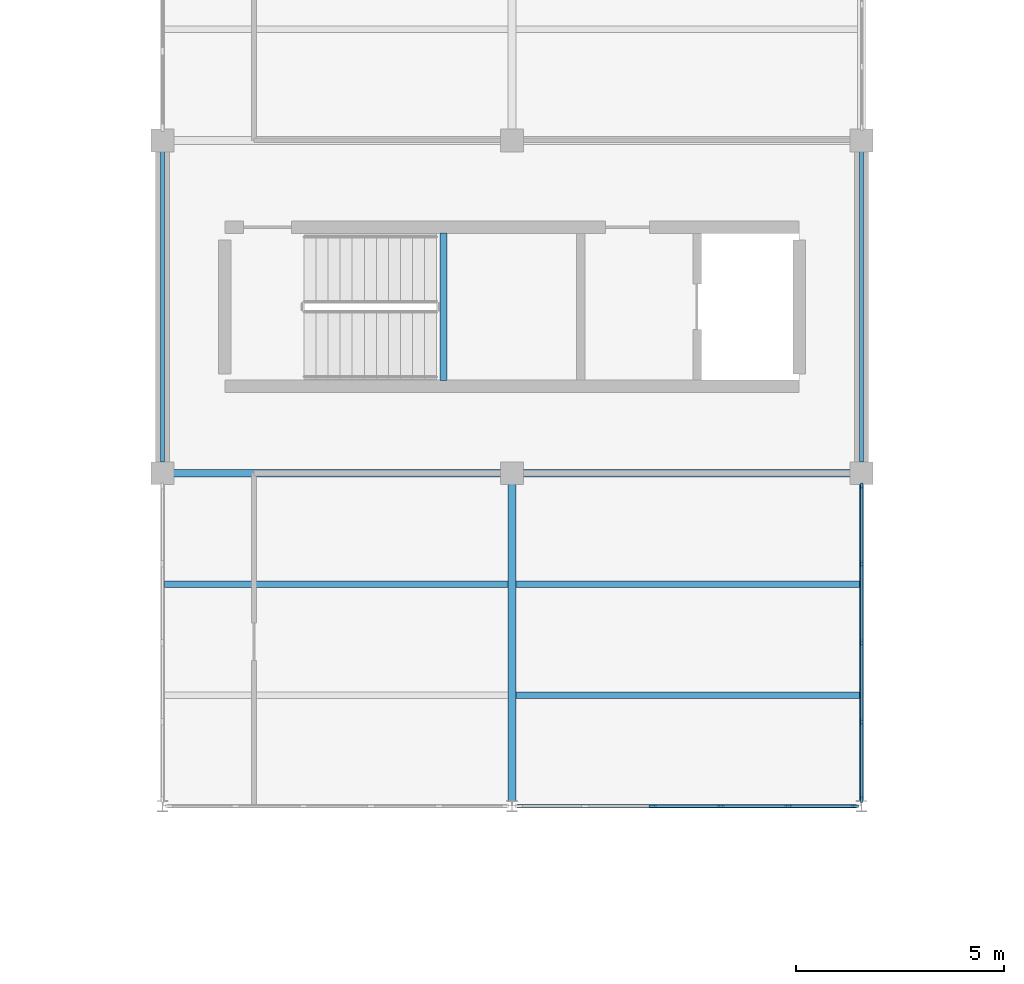
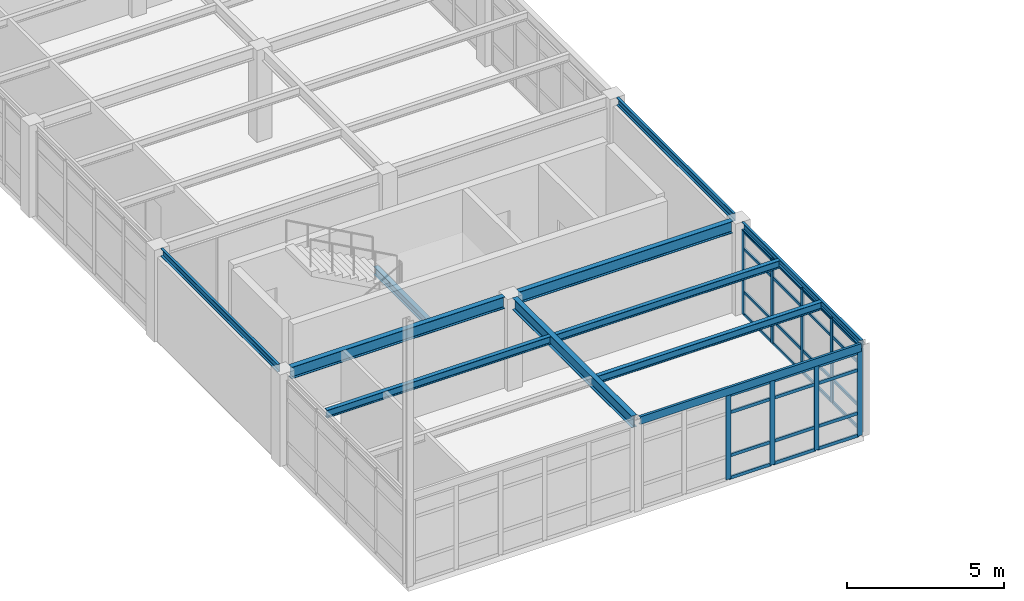
# One storey, part 17 of 53: 37 members, 11 beams, 2 elements without a shape of their own.
"""IFC4 building model written with IfcOpenShell, lengths in metres."""

from ifc_helpers import new_model, si_unit, direction, frame, origin, origin_2d, place, context, subcontext, project, spatial, rectangle, i_section, u_section, extrude, material, layer, layer_set, material_profile, profile_set, type_object, element, aggregate, save


model = new_model("IFC4")

# Units and contexts
model_context = context("Model", 3, precision=1e-05, world=origin(), true_north=direction((0.0, 1.0)))
body_context = subcontext(model_context, "Body", "Model", "MODEL_VIEW")
ifc_project = project(units=[si_unit("LENGTHUNIT", "METRE"), si_unit("AREAUNIT", "SQUARE_METRE"), si_unit("VOLUMEUNIT", "CUBIC_METRE"), si_unit("PLANEANGLEUNIT", "RADIAN"), si_unit("MASSUNIT", "GRAM", prefix="KILO")], contexts=[model_context])

# Site, building, storey
site_placement = place(None, origin())
site = spatial("IfcSite", under=ifc_project, at=site_placement, CompositionType="ELEMENT")
building_placement = place(site_placement, origin())
building = spatial("IfcBuilding", under=site, at=building_placement, Name="Kranzveld Transit Interchange", CompositionType="ELEMENT")
storey_placement = place(building_placement, frame((0.0, 0.0, 13.360107421875)))
storey = spatial("IfcBuildingStorey", under=building, at=storey_placement, Name="L03", CompositionType="ELEMENT", Elevation=13.360107421875)

# Beams
ifc_material_1 = material(Name="Steel S355JR", Category="steel")
ifc_material_profile_1 = material_profile(ifc_material_1, i_section(OverallWidth=0.18994140625, OverallDepth=0.453369140625, WebThickness=0.008544921875, FlangeThickness=0.0126953125, FilletRadius=0.01025390625, at=origin_2d()), Name="UB 457x191x67")
ifc_profile_set_1 = profile_set([ifc_material_profile_1], Name="Steel S355JR")
beam_type_1 = type_object("IfcBeamType", Name="Beam Steel UB 457x191x67 S355JR", PredefinedType="BEAM", material=ifc_profile_set_1)
beam_1_placement = place(storey_placement, frame((109.199951171875, 64.1201171875, 3.353271484375), z_axis=(0.0, 1.0, 0.0), x_axis=(-1.0, 0.0, 0.0)))
element("IfcBeam", 1, at=beam_1_placement, inside=storey, type_object=beam_type_1, Name="L03 Girder 14/J-K", PredefinedType="BEAM", context=body_context, shape_type="SweptSolid", body=[
    extrude(i_section(OverallWidth=0.18994140625, OverallDepth=0.453369140625, WebThickness=0.008544921875, FlangeThickness=0.0126953125, FilletRadius=0.01025390625, at=origin_2d()), origin(), (0.0, 0.0, 1.0), 7.614990234375),
])
ifc_material_2 = material(Name="Steel S355JR", Category="steel")
ifc_material_profile_2 = material_profile(ifc_material_2, i_section(OverallWidth=0.1904296875, OverallDepth=0.45703125, WebThickness=0.009033203125, FlangeThickness=0.014404296875, FilletRadius=0.01025390625, at=origin_2d()), Name="UB 457x191x74")
ifc_profile_set_2 = profile_set([ifc_material_profile_2], Name="Steel S355JR")
beam_type_2 = type_object("IfcBeamType", Name="Beam Steel UB 457x191x74 S355JR", PredefinedType="BEAM", material=ifc_profile_set_2)
beam_2_placement = place(storey_placement, frame((101.06494140625, 72.0, 3.351318359375), z_axis=(1.0, 0.0, 0.0), x_axis=(0.0, 1.0, 0.0)))
element("IfcBeam", 2, at=beam_2_placement, inside=storey, type_object=beam_type_2, Name="L03 Girder 13-14/K", PredefinedType="BEAM", context=body_context, shape_type="SweptSolid", body=[
    extrude(i_section(OverallWidth=0.1904296875, OverallDepth=0.45703125, WebThickness=0.009033203125, FlangeThickness=0.014404296875, FilletRadius=0.01025390625, at=origin_2d()), origin(), (0.0, 0.0, 1.0), 7.8701171875),
])
beam_3_placement = place(storey_placement, frame((109.465087890625, 72.0, 3.351318359375), z_axis=(1.0, 0.0, 0.0), x_axis=(0.0, 1.0, 0.0)))
element("IfcBeam", 3, at=beam_3_placement, inside=storey, type_object=beam_type_2, Name="L03 Girder 14-15/K", PredefinedType="BEAM", context=body_context, shape_type="SweptSolid", body=[
    extrude(i_section(OverallWidth=0.1904296875, OverallDepth=0.45703125, WebThickness=0.009033203125, FlangeThickness=0.014404296875, FilletRadius=0.01025390625, at=origin_2d()), origin(), (0.0, 0.0, 1.0), 7.869873046875),
])

# Curtain wall, members
ifc_material_3 = material(Name="Bronze-anodised thermally broken aluminium", Category="aluminium")
ifc_layer_1 = layer(ifc_material_3, 0.159912109375)
ifc_layer_set_1 = layer_set([ifc_layer_1], Name="Bronze-anodised thermally broken aluminium")
curtain_wall_type_1 = type_object("IfcCurtainWallType", Name="Bus Boarding Glazed Screen CW-3", PredefinedType="USERDEFINED", material=ifc_layer_set_1)
curtain_wall_1_placement = place(storey_placement, origin())
curtain_wall_1 = element("IfcCurtainWall", 4, at=curtain_wall_1_placement, inside=storey, type_object=curtain_wall_type_1, Name="L03 Curtain Wall 15/J-15/K", ObjectType="CURTAIN WALL", PredefinedType="USERDEFINED")
ifc_material_4 = material(Name="Bronze-anodised thermally broken aluminium", Category="aluminium")
ifc_material_profile_3 = material_profile(ifc_material_4, rectangle(XDim=0.06005859375, YDim=0.14990234375, at=origin_2d()), Name="ALU MULLION 60x150")
ifc_profile_set_3 = profile_set([ifc_material_profile_3], Name="Bronze-anodised thermally broken aluminium")
member_type_1 = type_object("IfcMemberType", Name="Curtain Wall Mullion 60x150 Alu", PredefinedType="MULLION", material=ifc_profile_set_3)
member_1_placement = place(storey_placement, frame((117.60009765625, 64.16015625, 0.0), z_axis=(0.0, 0.0, 1.0), x_axis=(-1.0, 0.0, 0.0)))
member_1 = element("IfcMember", 5, at=member_1_placement, type_object=member_type_1, Name="CW-3 mullion 1", PredefinedType="MULLION", context=body_context, shape_type="SweptSolid", body=[
    extrude(rectangle(XDim=0.06005859375, YDim=0.14990234375, at=origin_2d()), origin(), (0.0, 0.0, 1.0), 3.27978515625),
])
member_2_placement = place(storey_placement, frame((117.60009765625, 66.02880859375, 0.0), z_axis=(0.0, 0.0, 1.0), x_axis=(-1.0, 0.0, 0.0)))
member_2 = element("IfcMember", 6, at=member_2_placement, type_object=member_type_1, Name="CW-3 mullion 2", PredefinedType="MULLION", context=body_context, shape_type="SweptSolid", body=[
    extrude(rectangle(XDim=0.06005859375, YDim=0.14990234375, at=origin_2d()), origin(), (0.0, 0.0, 1.0), 3.27978515625),
])
member_3_placement = place(storey_placement, frame((117.60009765625, 67.927490234375, 0.0), z_axis=(0.0, 0.0, 1.0), x_axis=(-1.0, 0.0, 0.0)))
member_3 = element("IfcMember", 7, at=member_3_placement, type_object=member_type_1, Name="CW-3 mullion 3", PredefinedType="MULLION", context=body_context, shape_type="SweptSolid", body=[
    extrude(rectangle(XDim=0.06005859375, YDim=0.14990234375, at=origin_2d()), origin(), (0.0, 0.0, 1.0), 3.27978515625),
])
member_4_placement = place(storey_placement, frame((117.60009765625, 69.826171875, 0.0), z_axis=(0.0, 0.0, 1.0), x_axis=(-1.0, 0.0, 0.0)))
member_4 = element("IfcMember", 8, at=member_4_placement, type_object=member_type_1, Name="CW-3 mullion 4", PredefinedType="MULLION", context=body_context, shape_type="SweptSolid", body=[
    extrude(rectangle(XDim=0.06005859375, YDim=0.14990234375, at=origin_2d()), origin(), (0.0, 0.0, 1.0), 3.27978515625),
])
member_5_placement = place(storey_placement, frame((117.60009765625, 71.695068359375, 0.0), z_axis=(0.0, 0.0, 1.0), x_axis=(-1.0, 0.0, 0.0)))
member_5 = element("IfcMember", 9, at=member_5_placement, type_object=member_type_1, Name="CW-3 mullion 5", PredefinedType="MULLION", context=body_context, shape_type="SweptSolid", body=[
    extrude(rectangle(XDim=0.06005859375, YDim=0.14990234375, at=origin_2d()), origin(), (0.0, 0.0, 1.0), 3.27978515625),
])

ifc_material_5 = material(Name="Bronze-anodised thermally broken aluminium", Category="aluminium")
ifc_layer_2 = layer(ifc_material_5, 0.1650390625)
ifc_layer_set_2 = layer_set([ifc_layer_2], Name="Bronze-anodised thermally broken aluminium")
curtain_wall_type_2 = type_object("IfcCurtainWallType", Name="Sunny Court Arcade Curtain Wall CW-2", PredefinedType="USERDEFINED", material=ifc_layer_set_2)
curtain_wall_2_placement = place(storey_placement, origin())
curtain_wall_2 = element("IfcCurtainWall", 10, at=curtain_wall_2_placement, inside=storey, type_object=curtain_wall_type_2, Name="L03 Curtain Wall 14/J-15/J", ObjectType="CURTAIN WALL", PredefinedType="USERDEFINED")
ifc_material_6 = material(Name="Bronze-anodised thermally broken aluminium", Category="aluminium")
ifc_material_profile_4 = material_profile(ifc_material_6, rectangle(XDim=0.06494140625, YDim=0.179931640625, at=origin_2d()), Name="ALU MULLION 65x180")
ifc_profile_set_4 = profile_set([ifc_material_profile_4], Name="Bronze-anodised thermally broken aluminium")
member_type_2 = type_object("IfcMemberType", Name="Curtain Wall Mullion 65x180 Alu", PredefinedType="MULLION", material=ifc_profile_set_4)
member_6_placement = place(storey_placement, frame((112.585693359375, 64.0, 0.0), z_axis=(0.0, 0.0, 1.0), x_axis=(0.0, 1.0, 0.0)))
member_6 = element("IfcMember", 11, at=member_6_placement, type_object=member_type_2, Name="CW-2 mullion 3", PredefinedType="MULLION", context=body_context, shape_type="SweptSolid", body=[
    extrude(rectangle(XDim=0.06494140625, YDim=0.179931640625, at=origin_2d()), origin(), (0.0, 0.0, 1.0), 3.27978515625),
])
member_7_placement = place(storey_placement, frame((114.21435546875, 64.0, 0.0), z_axis=(0.0, 0.0, 1.0), x_axis=(0.0, 1.0, 0.0)))
member_7 = element("IfcMember", 12, at=member_7_placement, type_object=member_type_2, Name="CW-2 mullion 4", PredefinedType="MULLION", context=body_context, shape_type="SweptSolid", body=[
    extrude(rectangle(XDim=0.06494140625, YDim=0.179931640625, at=origin_2d()), origin(), (0.0, 0.0, 1.0), 3.27978515625),
])
member_8_placement = place(storey_placement, frame((115.84326171875, 64.0, 0.0), z_axis=(0.0, 0.0, 1.0), x_axis=(0.0, 1.0, 0.0)))
member_8 = element("IfcMember", 13, at=member_8_placement, type_object=member_type_2, Name="CW-2 mullion 5", PredefinedType="MULLION", context=body_context, shape_type="SweptSolid", body=[
    extrude(rectangle(XDim=0.06494140625, YDim=0.179931640625, at=origin_2d()), origin(), (0.0, 0.0, 1.0), 3.27978515625),
])
member_9_placement = place(storey_placement, frame((117.439453125, 64.0, 0.0), z_axis=(0.0, 0.0, 1.0), x_axis=(0.0, 1.0, 0.0)))
member_9 = element("IfcMember", 14, at=member_9_placement, type_object=member_type_2, Name="CW-2 mullion 6", PredefinedType="MULLION", context=body_context, shape_type="SweptSolid", body=[
    extrude(rectangle(XDim=0.06494140625, YDim=0.179931640625, at=origin_2d()), origin(), (0.0, 0.0, 1.0), 3.27978515625),
])

# Member
ifc_material_7 = material(Name="Bronze-anodised thermally broken aluminium", Category="aluminium")
ifc_material_profile_5 = material_profile(ifc_material_7, rectangle(XDim=0.06005859375, YDim=0.110107421875, at=origin_2d()), Name="ALU TRANSOM 60x110")
ifc_profile_set_5 = profile_set([ifc_material_profile_5], Name="Bronze-anodised thermally broken aluminium")
member_type_3 = type_object("IfcMemberType", Name="Curtain Wall Transom 60x110 Alu", PredefinedType="USERDEFINED", material=ifc_profile_set_5)
member_10_placement = place(storey_placement, frame((117.60009765625, 64.190185546875, 0.02978515625), z_axis=(0.0, 1.0, 0.0), x_axis=(-1.0, 0.0, 0.0)))
member_10 = element("IfcMember", 15, at=member_10_placement, type_object=member_type_3, Name="CW-3 transom 1.1", ObjectType="TRANSOM", PredefinedType="USERDEFINED", context=body_context, shape_type="SweptSolid", body=[
    extrude(rectangle(XDim=0.06005859375, YDim=0.110107421875, at=origin_2d()), origin(), (0.0, 0.0, 1.0), 1.80859375),
])

member_11_placement = place(storey_placement, frame((117.60009765625, 64.190185546875, 0.89990234375), z_axis=(0.0, 1.0, 0.0), x_axis=(-1.0, 0.0, 0.0)))
member_11 = element("IfcMember", 16, at=member_11_placement, type_object=member_type_3, Name="CW-3 transom 1.2", ObjectType="TRANSOM", PredefinedType="USERDEFINED", context=body_context, shape_type="SweptSolid", body=[
    extrude(rectangle(XDim=0.06005859375, YDim=0.110107421875, at=origin_2d()), origin(), (0.0, 0.0, 1.0), 1.80859375),
])

member_12_placement = place(storey_placement, frame((117.60009765625, 64.190185546875, 2.579833984375), z_axis=(0.0, 1.0, 0.0), x_axis=(-1.0, 0.0, 0.0)))
member_12 = element("IfcMember", 17, at=member_12_placement, type_object=member_type_3, Name="CW-3 transom 1.3", ObjectType="TRANSOM", PredefinedType="USERDEFINED", context=body_context, shape_type="SweptSolid", body=[
    extrude(rectangle(XDim=0.06005859375, YDim=0.110107421875, at=origin_2d()), origin(), (0.0, 0.0, 1.0), 1.80859375),
])

member_13_placement = place(storey_placement, frame((117.60009765625, 64.190185546875, 3.25), z_axis=(0.0, 1.0, 0.0), x_axis=(-1.0, 0.0, 0.0)))
member_13 = element("IfcMember", 18, at=member_13_placement, type_object=member_type_3, Name="CW-3 transom 1.4", ObjectType="TRANSOM", PredefinedType="USERDEFINED", context=body_context, shape_type="SweptSolid", body=[
    extrude(rectangle(XDim=0.06005859375, YDim=0.110107421875, at=origin_2d()), origin(), (0.0, 0.0, 1.0), 1.80859375),
])

member_14_placement = place(storey_placement, frame((117.60009765625, 66.058837890625, 0.02978515625), z_axis=(0.0, 1.0, 0.0), x_axis=(-1.0, 0.0, 0.0)))
member_14 = element("IfcMember", 19, at=member_14_placement, type_object=member_type_3, Name="CW-3 transom 2.1", ObjectType="TRANSOM", PredefinedType="USERDEFINED", context=body_context, shape_type="SweptSolid", body=[
    extrude(rectangle(XDim=0.06005859375, YDim=0.110107421875, at=origin_2d()), origin(), (0.0, 0.0, 1.0), 1.838623046875),
])

member_15_placement = place(storey_placement, frame((117.60009765625, 66.058837890625, 0.89990234375), z_axis=(0.0, 1.0, 0.0), x_axis=(-1.0, 0.0, 0.0)))
member_15 = element("IfcMember", 20, at=member_15_placement, type_object=member_type_3, Name="CW-3 transom 2.2", ObjectType="TRANSOM", PredefinedType="USERDEFINED", context=body_context, shape_type="SweptSolid", body=[
    extrude(rectangle(XDim=0.06005859375, YDim=0.110107421875, at=origin_2d()), origin(), (0.0, 0.0, 1.0), 1.838623046875),
])

member_16_placement = place(storey_placement, frame((117.60009765625, 66.058837890625, 2.579833984375), z_axis=(0.0, 1.0, 0.0), x_axis=(-1.0, 0.0, 0.0)))
member_16 = element("IfcMember", 21, at=member_16_placement, type_object=member_type_3, Name="CW-3 transom 2.3", ObjectType="TRANSOM", PredefinedType="USERDEFINED", context=body_context, shape_type="SweptSolid", body=[
    extrude(rectangle(XDim=0.06005859375, YDim=0.110107421875, at=origin_2d()), origin(), (0.0, 0.0, 1.0), 1.838623046875),
])

member_17_placement = place(storey_placement, frame((117.60009765625, 66.058837890625, 3.25), z_axis=(0.0, 1.0, 0.0), x_axis=(-1.0, 0.0, 0.0)))
member_17 = element("IfcMember", 22, at=member_17_placement, type_object=member_type_3, Name="CW-3 transom 2.4", ObjectType="TRANSOM", PredefinedType="USERDEFINED", context=body_context, shape_type="SweptSolid", body=[
    extrude(rectangle(XDim=0.06005859375, YDim=0.110107421875, at=origin_2d()), origin(), (0.0, 0.0, 1.0), 1.838623046875),
])

member_18_placement = place(storey_placement, frame((117.60009765625, 67.95751953125, 0.02978515625), z_axis=(0.0, 1.0, 0.0), x_axis=(-1.0, 0.0, 0.0)))
member_18 = element("IfcMember", 23, at=member_18_placement, type_object=member_type_3, Name="CW-3 transom 3.1", ObjectType="TRANSOM", PredefinedType="USERDEFINED", context=body_context, shape_type="SweptSolid", body=[
    extrude(rectangle(XDim=0.06005859375, YDim=0.110107421875, at=origin_2d()), origin(), (0.0, 0.0, 1.0), 1.8388671875),
])

member_19_placement = place(storey_placement, frame((117.60009765625, 67.95751953125, 0.89990234375), z_axis=(0.0, 1.0, 0.0), x_axis=(-1.0, 0.0, 0.0)))
member_19 = element("IfcMember", 24, at=member_19_placement, type_object=member_type_3, Name="CW-3 transom 3.2", ObjectType="TRANSOM", PredefinedType="USERDEFINED", context=body_context, shape_type="SweptSolid", body=[
    extrude(rectangle(XDim=0.06005859375, YDim=0.110107421875, at=origin_2d()), origin(), (0.0, 0.0, 1.0), 1.8388671875),
])

member_20_placement = place(storey_placement, frame((117.60009765625, 67.95751953125, 2.579833984375), z_axis=(0.0, 1.0, 0.0), x_axis=(-1.0, 0.0, 0.0)))
member_20 = element("IfcMember", 25, at=member_20_placement, type_object=member_type_3, Name="CW-3 transom 3.3", ObjectType="TRANSOM", PredefinedType="USERDEFINED", context=body_context, shape_type="SweptSolid", body=[
    extrude(rectangle(XDim=0.06005859375, YDim=0.110107421875, at=origin_2d()), origin(), (0.0, 0.0, 1.0), 1.8388671875),
])

member_21_placement = place(storey_placement, frame((117.60009765625, 67.95751953125, 3.25), z_axis=(0.0, 1.0, 0.0), x_axis=(-1.0, 0.0, 0.0)))
member_21 = element("IfcMember", 26, at=member_21_placement, type_object=member_type_3, Name="CW-3 transom 3.4", ObjectType="TRANSOM", PredefinedType="USERDEFINED", context=body_context, shape_type="SweptSolid", body=[
    extrude(rectangle(XDim=0.06005859375, YDim=0.110107421875, at=origin_2d()), origin(), (0.0, 0.0, 1.0), 1.8388671875),
])

member_22_placement = place(storey_placement, frame((117.60009765625, 69.856201171875, 0.02978515625), z_axis=(0.0, 1.0, 0.0), x_axis=(-1.0, 0.0, 0.0)))
member_22 = element("IfcMember", 27, at=member_22_placement, type_object=member_type_3, Name="CW-3 transom 4.1", ObjectType="TRANSOM", PredefinedType="USERDEFINED", context=body_context, shape_type="SweptSolid", body=[
    extrude(rectangle(XDim=0.06005859375, YDim=0.110107421875, at=origin_2d()), origin(), (0.0, 0.0, 1.0), 1.808837890625),
])

member_23_placement = place(storey_placement, frame((117.60009765625, 69.856201171875, 0.89990234375), z_axis=(0.0, 1.0, 0.0), x_axis=(-1.0, 0.0, 0.0)))
member_23 = element("IfcMember", 28, at=member_23_placement, type_object=member_type_3, Name="CW-3 transom 4.2", ObjectType="TRANSOM", PredefinedType="USERDEFINED", context=body_context, shape_type="SweptSolid", body=[
    extrude(rectangle(XDim=0.06005859375, YDim=0.110107421875, at=origin_2d()), origin(), (0.0, 0.0, 1.0), 1.808837890625),
])

member_24_placement = place(storey_placement, frame((117.60009765625, 69.856201171875, 2.579833984375), z_axis=(0.0, 1.0, 0.0), x_axis=(-1.0, 0.0, 0.0)))
member_24 = element("IfcMember", 29, at=member_24_placement, type_object=member_type_3, Name="CW-3 transom 4.3", ObjectType="TRANSOM", PredefinedType="USERDEFINED", context=body_context, shape_type="SweptSolid", body=[
    extrude(rectangle(XDim=0.06005859375, YDim=0.110107421875, at=origin_2d()), origin(), (0.0, 0.0, 1.0), 1.808837890625),
])

member_25_placement = place(storey_placement, frame((117.60009765625, 69.856201171875, 3.25), z_axis=(0.0, 1.0, 0.0), x_axis=(-1.0, 0.0, 0.0)))
member_25 = element("IfcMember", 30, at=member_25_placement, type_object=member_type_3, Name="CW-3 transom 4.4", ObjectType="TRANSOM", PredefinedType="USERDEFINED", context=body_context, shape_type="SweptSolid", body=[
    extrude(rectangle(XDim=0.06005859375, YDim=0.110107421875, at=origin_2d()), origin(), (0.0, 0.0, 1.0), 1.808837890625),
])

aggregate(curtain_wall_1, [member_1, member_2, member_3, member_4, member_5, member_10, member_11, member_12, member_13, member_14, member_15, member_16, member_17, member_18, member_19, member_20, member_21, member_22, member_23, member_24, member_25])

ifc_material_8 = material(Name="Bronze-anodised thermally broken aluminium", Category="aluminium")
ifc_material_profile_6 = material_profile(ifc_material_8, rectangle(XDim=0.06005859375, YDim=0.125, at=origin_2d()), Name="ALU TRANSOM 60x125")
ifc_profile_set_6 = profile_set([ifc_material_profile_6], Name="Bronze-anodised thermally broken aluminium")
member_type_4 = type_object("IfcMemberType", Name="Curtain Wall Transom 60x125 Alu", PredefinedType="USERDEFINED", material=ifc_profile_set_6)
member_26_placement = place(storey_placement, frame((112.6181640625, 64.0, 0.02978515625), z_axis=(1.0, 0.0, 0.0), x_axis=(0.0, 1.0, 0.0)))
member_26 = element("IfcMember", 31, at=member_26_placement, type_object=member_type_4, Name="CW-2 transom 3.1", ObjectType="TRANSOM", PredefinedType="USERDEFINED", context=body_context, shape_type="SweptSolid", body=[
    extrude(rectangle(XDim=0.06005859375, YDim=0.125, at=origin_2d()), origin(), (0.0, 0.0, 1.0), 1.563720703125),
])

member_27_placement = place(storey_placement, frame((112.6181640625, 64.0, 0.89990234375), z_axis=(1.0, 0.0, 0.0), x_axis=(0.0, 1.0, 0.0)))
member_27 = element("IfcMember", 32, at=member_27_placement, type_object=member_type_4, Name="CW-2 transom 3.2", ObjectType="TRANSOM", PredefinedType="USERDEFINED", context=body_context, shape_type="SweptSolid", body=[
    extrude(rectangle(XDim=0.06005859375, YDim=0.125, at=origin_2d()), origin(), (0.0, 0.0, 1.0), 1.563720703125),
])

member_28_placement = place(storey_placement, frame((112.6181640625, 64.0, 2.579833984375), z_axis=(1.0, 0.0, 0.0), x_axis=(0.0, 1.0, 0.0)))
member_28 = element("IfcMember", 33, at=member_28_placement, type_object=member_type_4, Name="CW-2 transom 3.3", ObjectType="TRANSOM", PredefinedType="USERDEFINED", context=body_context, shape_type="SweptSolid", body=[
    extrude(rectangle(XDim=0.06005859375, YDim=0.125, at=origin_2d()), origin(), (0.0, 0.0, 1.0), 1.563720703125),
])

member_29_placement = place(storey_placement, frame((112.6181640625, 64.0, 3.25), z_axis=(1.0, 0.0, 0.0), x_axis=(0.0, 1.0, 0.0)))
member_29 = element("IfcMember", 34, at=member_29_placement, type_object=member_type_4, Name="CW-2 transom 3.4", ObjectType="TRANSOM", PredefinedType="USERDEFINED", context=body_context, shape_type="SweptSolid", body=[
    extrude(rectangle(XDim=0.06005859375, YDim=0.125, at=origin_2d()), origin(), (0.0, 0.0, 1.0), 1.563720703125),
])

member_30_placement = place(storey_placement, frame((114.246826171875, 64.0, 0.02978515625), z_axis=(1.0, 0.0, 0.0), x_axis=(0.0, 1.0, 0.0)))
member_30 = element("IfcMember", 35, at=member_30_placement, type_object=member_type_4, Name="CW-2 transom 4.1", ObjectType="TRANSOM", PredefinedType="USERDEFINED", context=body_context, shape_type="SweptSolid", body=[
    extrude(rectangle(XDim=0.06005859375, YDim=0.125, at=origin_2d()), origin(), (0.0, 0.0, 1.0), 1.563720703125),
])

member_31_placement = place(storey_placement, frame((114.246826171875, 64.0, 0.89990234375), z_axis=(1.0, 0.0, 0.0), x_axis=(0.0, 1.0, 0.0)))
member_31 = element("IfcMember", 36, at=member_31_placement, type_object=member_type_4, Name="CW-2 transom 4.2", ObjectType="TRANSOM", PredefinedType="USERDEFINED", context=body_context, shape_type="SweptSolid", body=[
    extrude(rectangle(XDim=0.06005859375, YDim=0.125, at=origin_2d()), origin(), (0.0, 0.0, 1.0), 1.563720703125),
])

member_32_placement = place(storey_placement, frame((114.246826171875, 64.0, 2.579833984375), z_axis=(1.0, 0.0, 0.0), x_axis=(0.0, 1.0, 0.0)))
member_32 = element("IfcMember", 37, at=member_32_placement, type_object=member_type_4, Name="CW-2 transom 4.3", ObjectType="TRANSOM", PredefinedType="USERDEFINED", context=body_context, shape_type="SweptSolid", body=[
    extrude(rectangle(XDim=0.06005859375, YDim=0.125, at=origin_2d()), origin(), (0.0, 0.0, 1.0), 1.563720703125),
])

member_33_placement = place(storey_placement, frame((114.246826171875, 64.0, 3.25), z_axis=(1.0, 0.0, 0.0), x_axis=(0.0, 1.0, 0.0)))
member_33 = element("IfcMember", 38, at=member_33_placement, type_object=member_type_4, Name="CW-2 transom 4.4", ObjectType="TRANSOM", PredefinedType="USERDEFINED", context=body_context, shape_type="SweptSolid", body=[
    extrude(rectangle(XDim=0.06005859375, YDim=0.125, at=origin_2d()), origin(), (0.0, 0.0, 1.0), 1.563720703125),
])

member_34_placement = place(storey_placement, frame((115.875732421875, 64.0, 0.02978515625), z_axis=(1.0, 0.0, 0.0), x_axis=(0.0, 1.0, 0.0)))
member_34 = element("IfcMember", 39, at=member_34_placement, type_object=member_type_4, Name="CW-2 transom 5.1", ObjectType="TRANSOM", PredefinedType="USERDEFINED", context=body_context, shape_type="SweptSolid", body=[
    extrude(rectangle(XDim=0.06005859375, YDim=0.125, at=origin_2d()), origin(), (0.0, 0.0, 1.0), 1.53125),
])

member_35_placement = place(storey_placement, frame((115.875732421875, 64.0, 0.89990234375), z_axis=(1.0, 0.0, 0.0), x_axis=(0.0, 1.0, 0.0)))
member_35 = element("IfcMember", 40, at=member_35_placement, type_object=member_type_4, Name="CW-2 transom 5.2", ObjectType="TRANSOM", PredefinedType="USERDEFINED", context=body_context, shape_type="SweptSolid", body=[
    extrude(rectangle(XDim=0.06005859375, YDim=0.125, at=origin_2d()), origin(), (0.0, 0.0, 1.0), 1.53125),
])

member_36_placement = place(storey_placement, frame((115.875732421875, 64.0, 2.579833984375), z_axis=(1.0, 0.0, 0.0), x_axis=(0.0, 1.0, 0.0)))
member_36 = element("IfcMember", 41, at=member_36_placement, type_object=member_type_4, Name="CW-2 transom 5.3", ObjectType="TRANSOM", PredefinedType="USERDEFINED", context=body_context, shape_type="SweptSolid", body=[
    extrude(rectangle(XDim=0.06005859375, YDim=0.125, at=origin_2d()), origin(), (0.0, 0.0, 1.0), 1.53125),
])

member_37_placement = place(storey_placement, frame((115.875732421875, 64.0, 3.25), z_axis=(1.0, 0.0, 0.0), x_axis=(0.0, 1.0, 0.0)))
member_37 = element("IfcMember", 42, at=member_37_placement, type_object=member_type_4, Name="CW-2 transom 5.4", ObjectType="TRANSOM", PredefinedType="USERDEFINED", context=body_context, shape_type="SweptSolid", body=[
    extrude(rectangle(XDim=0.06005859375, YDim=0.125, at=origin_2d()), origin(), (0.0, 0.0, 1.0), 1.53125),
])

aggregate(curtain_wall_2, [member_6, member_7, member_8, member_9, member_26, member_27, member_28, member_29, member_30, member_31, member_32, member_33, member_34, member_35, member_36, member_37])

# Beams
ifc_material_9 = material(Name="Steel S355JR", Category="steel")
ifc_material_profile_7 = material_profile(ifc_material_9, i_section(OverallWidth=0.14990234375, OverallDepth=0.300048828125, WebThickness=0.007080078125, FlangeThickness=0.0107421875, FilletRadius=0.014892578125, at=origin_2d()), Name="IPE 300")
ifc_profile_set_7 = profile_set([ifc_material_profile_7], Name="Steel S355JR")
beam_type_3 = type_object("IfcBeamType", Name="Deck Joist IPE 300 S355JR", PredefinedType="JOIST", material=ifc_profile_set_7)
for number, where, z_axis, x_axis, name in (
    (43, (100.846923828125, 69.333251953125, 3.429931640625), (1.0, 0.0, 0.0), (0.0, 1.0, 0.0), "L03 Secondary Joist 13-14/J.2"),
    (44, (109.296875, 66.666748046875, 3.429931640625), (1.0, 0.0, 0.0), (0.0, 1.0, 0.0), "L03 Secondary Joist 14-15/J.1"),
    (45, (109.296875, 69.333251953125, 3.429931640625), (1.0, 0.0, 0.0), (0.0, 1.0, 0.0), "L03 Secondary Joist 14-15/J.2"),
):
    element("IfcBeam", number, at=place(storey_placement, frame(where, z_axis=z_axis, x_axis=x_axis)), inside=storey, type_object=beam_type_3, Name=name, PredefinedType="JOIST", context=body_context, shape_type="SweptSolid", body=[
        extrude(i_section(OverallWidth=0.14990234375, OverallDepth=0.300048828125, WebThickness=0.007080078125, FlangeThickness=0.0107421875, FilletRadius=0.014892578125, at=origin_2d()), origin(), (0.0, 0.0, 1.0), 8.256103515625),
    ])
ifc_material_10 = material(Name="Steel S355JR", Category="steel")
ifc_material_profile_8 = material_profile(ifc_material_10, u_section(Depth=0.300048828125, FlangeWidth=0.090087890625, WebThickness=0.009033203125, FlangeThickness=0.015380859375, FilletRadius=0.011962890625, at=origin_2d()), Name="PFC 300x90x41")
ifc_profile_set_8 = profile_set([ifc_material_profile_8], Name="Steel S355JR")
beam_type_4 = type_object("IfcBeamType", Name="Edge Spandrel PFC 300x90x41 S355JR", PredefinedType="SPANDREL", material=ifc_profile_set_8)
beam_4_placement = place(storey_placement, frame((109.318115234375, 64.0, 3.429931640625), z_axis=(1.0, 0.0, 0.0), x_axis=(0.0, 1.0, 0.0)))
element("IfcBeam", 46, at=beam_4_placement, inside=storey, type_object=beam_type_4, Name="L03 Girder 14-15/J", PredefinedType="SPANDREL", context=body_context, shape_type="SweptSolid", body=[
    extrude(u_section(Depth=0.300048828125, FlangeWidth=0.090087890625, WebThickness=0.009033203125, FlangeThickness=0.015380859375, FilletRadius=0.011962890625, at=origin_2d()), origin(), (0.0, 0.0, 1.0), 8.163818359375),
])
beam_5_placement = place(storey_placement, frame((100.800048828125, 72.264892578125, 3.429931640625), z_axis=(0.0, 1.0, 0.0), x_axis=(-1.0, 0.0, 0.0)))
element("IfcBeam", 47, at=beam_5_placement, inside=storey, type_object=beam_type_4, Name="L03 Girder 13/K-L", PredefinedType="SPANDREL", context=body_context, shape_type="SweptSolid", body=[
    extrude(u_section(Depth=0.300048828125, FlangeWidth=0.090087890625, WebThickness=0.009033203125, FlangeThickness=0.015380859375, FilletRadius=0.011962890625, at=origin_2d()), origin(), (0.0, 0.0, 1.0), 7.47021484375),
])
beam_6_placement = place(storey_placement, frame((117.60009765625, 64.1201171875, 3.429931640625), z_axis=(0.0, 1.0, 0.0), x_axis=(-1.0, 0.0, 0.0)))
element("IfcBeam", 48, at=beam_6_placement, inside=storey, type_object=beam_type_4, Name="L03 Girder 15/J-K", PredefinedType="SPANDREL", context=body_context, shape_type="SweptSolid", body=[
    extrude(u_section(Depth=0.300048828125, FlangeWidth=0.090087890625, WebThickness=0.009033203125, FlangeThickness=0.015380859375, FilletRadius=0.011962890625, at=origin_2d()), origin(), (0.0, 0.0, 1.0), 7.614990234375),
])
beam_7_placement = place(storey_placement, frame((117.60009765625, 72.264892578125, 3.429931640625), z_axis=(0.0, 1.0, 0.0), x_axis=(-1.0, 0.0, 0.0)))
element("IfcBeam", 49, at=beam_7_placement, inside=storey, type_object=beam_type_4, Name="L03 Girder 15/K-L", PredefinedType="SPANDREL", context=body_context, shape_type="SweptSolid", body=[
    extrude(u_section(Depth=0.300048828125, FlangeWidth=0.090087890625, WebThickness=0.009033203125, FlangeThickness=0.015380859375, FilletRadius=0.011962890625, at=origin_2d()), origin(), (0.0, 0.0, 1.0), 7.47021484375),
])
ifc_material_11 = material(Name="Steel S355JR", Category="steel")
ifc_material_profile_9 = material_profile(ifc_material_11, i_section(OverallWidth=0.165771484375, OverallDepth=0.306640625, WebThickness=0.006591796875, FlangeThickness=0.01171875, FilletRadius=0.0087890625, at=origin_2d()), Name="UB 305x165x46")
ifc_profile_set_9 = profile_set([ifc_material_profile_9], Name="Steel S355JR")
beam_type_5 = type_object("IfcBeamType", Name="Roof Joist UB 305x165x46 S355JR", PredefinedType="JOIST", material=ifc_profile_set_9)
beam_8_placement = place(storey_placement, frame((107.550048828125, 74.22998046875, 1.566650390625), z_axis=(0.0, 1.0, 0.0), x_axis=(-1.0, 0.0, 0.0)))
element("IfcBeam", 50, at=beam_8_placement, inside=storey, type_object=beam_type_5, Name="L03 ST-V4A Half-Landing Support Beam", PredefinedType="BEAM", context=body_context, shape_type="SweptSolid", body=[
    extrude(i_section(OverallWidth=0.165771484375, OverallDepth=0.306640625, WebThickness=0.006591796875, FlangeThickness=0.01171875, FilletRadius=0.0087890625, at=origin_2d()), origin(), (0.0, 0.0, 1.0), 3.5400390625),
])

save(model, "model.ifc")
